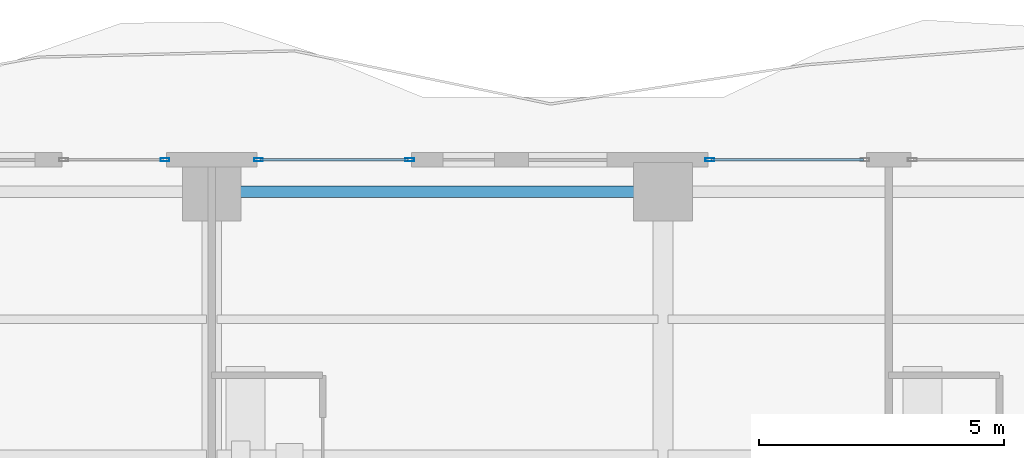
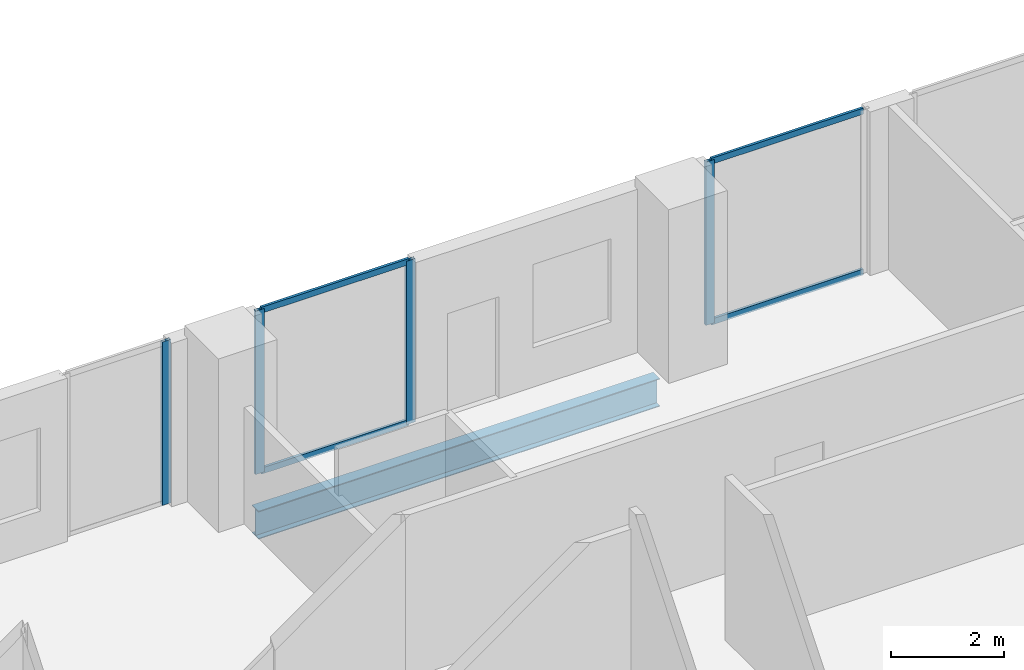
# One storey, part 20 of 32: 8 members, 1 beam, 3 elements without a shape of their own.
"""IFC4 building model written with IfcOpenShell, lengths in metres."""

from ifc_helpers import new_model, si_unit, direction, frame, origin, origin_2d, place, context, subcontext, project, spatial, hollow_rectangle, i_section, extrude, material, layer, layer_set, material_profile, profile_set, type_object, element, aggregate, save


model = new_model("IFC4")

# Units and contexts
model_context = context("Model", 3, precision=1e-05, world=origin(), true_north=direction((0.0, 1.0)))
body_context = subcontext(model_context, "Body", "Model", "MODEL_VIEW")
ifc_project = project(units=[si_unit("LENGTHUNIT", "METRE"), si_unit("AREAUNIT", "SQUARE_METRE"), si_unit("VOLUMEUNIT", "CUBIC_METRE"), si_unit("PLANEANGLEUNIT", "RADIAN"), si_unit("MASSUNIT", "GRAM", prefix="KILO")], contexts=[model_context])

# Site, building, storey
site_placement = place(None, origin())
site = spatial("IfcSite", under=ifc_project, at=site_placement, CompositionType="ELEMENT")
building_placement = place(site_placement, origin())
building = spatial("IfcBuilding", under=site, at=building_placement, Name="Zuhayl Quay Hotel", CompositionType="ELEMENT")
storey_placement = place(building_placement, frame((0.0, 0.0, 218.64990234375)))
storey = spatial("IfcBuildingStorey", under=building, at=storey_placement, Name="L55", CompositionType="ELEMENT", Elevation=218.64990234375)

# Beam
ifc_material_1 = material(Name="Steel ASTM A992 Grade 50", Category="steel")
ifc_material_profile_1 = material_profile(ifc_material_1, i_section(OverallWidth=0.22802734375, OverallDepth=0.60693359375, WebThickness=0.01123046875, FlangeThickness=0.017333984375, at=origin_2d()), Name="W24X76")
ifc_profile_set_1 = profile_set([ifc_material_profile_1], Name="Steel ASTM A992 Grade 50")
beam_type = type_object("IfcBeamType", Name="BM_B3_W24X76", PredefinedType="BEAM", material=ifc_profile_set_1)
beam_placement = place(storey_placement, frame((4.10009765625, 32.949951171875, -0.5234375), z_axis=(-1.0, 0.0, 0.0), x_axis=(0.0, -1.0, 0.0)))
element("IfcBeam", 1, at=beam_placement, inside=storey, type_object=beam_type, Name="L55 Floor Beam RG_L55_08", PredefinedType="BEAM", context=body_context, shape_type="SweptSolid", body=[
    extrude(i_section(OverallWidth=0.22802734375, OverallDepth=0.60693359375, WebThickness=0.01123046875, FlangeThickness=0.017333984375, at=origin_2d()), origin(), (0.0, 0.0, 1.0), 8.2001953125),
])

# Curtain wall, member
ifc_material_2 = material(Name="Anodised Aluminium 6063-T6", Category="aluminium")
ifc_layer = layer(ifc_material_2, 0.175048828125, Name="Anodised Aluminium 6063-T6", Category="aluminium")
ifc_layer_set = layer_set([ifc_layer], Name="Anodised Aluminium 6063-T6")
curtain_wall_type = type_object("IfcCurtainWallType", Name="CW_SYS_Z3", PredefinedType="USERDEFINED", material=ifc_layer_set)
curtain_wall_1_placement = place(storey_placement, origin())
curtain_wall_1 = element("IfcCurtainWall", 2, at=curtain_wall_1_placement, inside=storey, type_object=curtain_wall_type, Name="L55 Curtain Wall ENV_L55_N_CW3", ObjectType="UNITISED CURTAIN WALL", PredefinedType="USERDEFINED")
ifc_material_3 = material(Name="Black-anodised aluminium 6063-T6", Category="aluminium")
ifc_material_profile_2 = material_profile(ifc_material_3, hollow_rectangle(XDim=0.06494140625, YDim=0.179931640625, WallThickness=0.00341796875, at=origin_2d()), Name="ALU180X65")
ifc_profile_set_2 = profile_set([ifc_material_profile_2], Name="Black-anodised aluminium 6063-T6")
member_type_1 = type_object("IfcMemberType", Name="MB_CW_MUL_180", PredefinedType="MULLION", material=ifc_profile_set_2)
member_1_placement = place(storey_placement, frame((-5.552490234375, 33.60009765625, 0.0), z_axis=(0.0, 0.0, 1.0), x_axis=(0.0, 1.0, 0.0)))
member_1 = element("IfcMember", 3, at=member_1_placement, type_object=member_type_1, Name="CW-Z3 mullion 2", PredefinedType="MULLION", context=body_context, shape_type="SweptSolid", body=[
    extrude(hollow_rectangle(XDim=0.06494140625, YDim=0.179931640625, WallThickness=0.00341796875, at=origin_2d()), origin(), (0.0, 0.0, 1.0), 3.530029296875),
])
aggregate(curtain_wall_1, [member_1])

# Curtain wall, members
curtain_wall_2_placement = place(storey_placement, origin())
curtain_wall_2 = element("IfcCurtainWall", 4, at=curtain_wall_2_placement, inside=storey, type_object=curtain_wall_type, Name="L55 Curtain Wall ENV_L55_N_CW4", ObjectType="UNITISED CURTAIN WALL", PredefinedType="USERDEFINED")
member_2_placement = place(storey_placement, frame((-3.6474609375, 33.60009765625, 0.0), z_axis=(0.0, 0.0, 1.0), x_axis=(0.0, 1.0, 0.0)))
member_2 = element("IfcMember", 5, at=member_2_placement, type_object=member_type_1, Name="CW-Z3 mullion 1", PredefinedType="MULLION", context=body_context, shape_type="SweptSolid", body=[
    extrude(hollow_rectangle(XDim=0.06494140625, YDim=0.179931640625, WallThickness=0.00341796875, at=origin_2d()), origin(), (0.0, 0.0, 1.0), 3.530029296875),
])
member_3_placement = place(storey_placement, frame((-0.5634765625, 33.60009765625, 0.0), z_axis=(0.0, 0.0, 1.0), x_axis=(0.0, 1.0, 0.0)))
member_3 = element("IfcMember", 6, at=member_3_placement, type_object=member_type_1, Name="CW-Z3 mullion 2", PredefinedType="MULLION", context=body_context, shape_type="SweptSolid", body=[
    extrude(hollow_rectangle(XDim=0.06494140625, YDim=0.179931640625, WallThickness=0.00341796875, at=origin_2d()), origin(), (0.0, 0.0, 1.0), 3.530029296875),
])

# Curtain wall, member
curtain_wall_3_placement = place(storey_placement, origin())
curtain_wall_3 = element("IfcCurtainWall", 7, at=curtain_wall_3_placement, inside=storey, type_object=curtain_wall_type, Name="L55 Curtain Wall ENV_L55_N_CW5", ObjectType="UNITISED CURTAIN WALL", PredefinedType="USERDEFINED")
member_4_placement = place(storey_placement, frame((5.552490234375, 33.60009765625, 0.0), z_axis=(0.0, 0.0, 1.0), x_axis=(0.0, 1.0, 0.0)))
member_4 = element("IfcMember", 8, at=member_4_placement, type_object=member_type_1, Name="CW-Z3 mullion 1", PredefinedType="MULLION", context=body_context, shape_type="SweptSolid", body=[
    extrude(hollow_rectangle(XDim=0.06494140625, YDim=0.179931640625, WallThickness=0.00341796875, at=origin_2d()), origin(), (0.0, 0.0, 1.0), 3.530029296875),
])

# Member
ifc_material_profile_3 = material_profile(ifc_material_3, hollow_rectangle(XDim=0.054931640625, YDim=0.1298828125, WallThickness=0.0029296875, at=origin_2d()), Name="ALU130X55")
ifc_profile_set_3 = profile_set([ifc_material_profile_3], Name="Black-anodised aluminium 6063-T6")
member_type_2 = type_object("IfcMemberType", Name="MB_CW_TRN_130", PredefinedType="USERDEFINED", material=ifc_profile_set_3)
member_5_placement = place(storey_placement, frame((-3.614990234375, 33.60009765625, 0.027587890625), z_axis=(1.0, 0.0, 0.0), x_axis=(0.0, 1.0, 0.0)))
member_5 = element("IfcMember", 9, at=member_5_placement, type_object=member_type_2, Name="CW-Z3 transom 1.1", ObjectType="TRANSOM", PredefinedType="USERDEFINED", context=body_context, shape_type="SweptSolid", body=[
    extrude(hollow_rectangle(XDim=0.054931640625, YDim=0.1298828125, WallThickness=0.0029296875, at=origin_2d()), origin(), (0.0, 0.0, 1.0), 3.01904296875),
])

member_6_placement = place(storey_placement, frame((-3.614990234375, 33.60009765625, 3.502685546875), z_axis=(1.0, 0.0, 0.0), x_axis=(0.0, 1.0, 0.0)))
member_6 = element("IfcMember", 10, at=member_6_placement, type_object=member_type_2, Name="CW-Z3 transom 1.2", ObjectType="TRANSOM", PredefinedType="USERDEFINED", context=body_context, shape_type="SweptSolid", body=[
    extrude(hollow_rectangle(XDim=0.054931640625, YDim=0.1298828125, WallThickness=0.0029296875, at=origin_2d()), origin(), (0.0, 0.0, 1.0), 3.01904296875),
])

aggregate(curtain_wall_2, [member_2, member_3, member_5, member_6])

member_7_placement = place(storey_placement, frame((5.5849609375, 33.60009765625, 0.027587890625), z_axis=(1.0, 0.0, 0.0), x_axis=(0.0, 1.0, 0.0)))
member_7 = element("IfcMember", 11, at=member_7_placement, type_object=member_type_2, Name="CW-Z3 transom 1.1", ObjectType="TRANSOM", PredefinedType="USERDEFINED", context=body_context, shape_type="SweptSolid", body=[
    extrude(hollow_rectangle(XDim=0.054931640625, YDim=0.1298828125, WallThickness=0.0029296875, at=origin_2d()), origin(), (0.0, 0.0, 1.0), 3.10009765625),
])

member_8_placement = place(storey_placement, frame((5.5849609375, 33.60009765625, 3.502685546875), z_axis=(1.0, 0.0, 0.0), x_axis=(0.0, 1.0, 0.0)))
member_8 = element("IfcMember", 12, at=member_8_placement, type_object=member_type_2, Name="CW-Z3 transom 1.2", ObjectType="TRANSOM", PredefinedType="USERDEFINED", context=body_context, shape_type="SweptSolid", body=[
    extrude(hollow_rectangle(XDim=0.054931640625, YDim=0.1298828125, WallThickness=0.0029296875, at=origin_2d()), origin(), (0.0, 0.0, 1.0), 3.10009765625),
])

aggregate(curtain_wall_3, [member_4, member_7, member_8])

save(model, "model.ifc")
